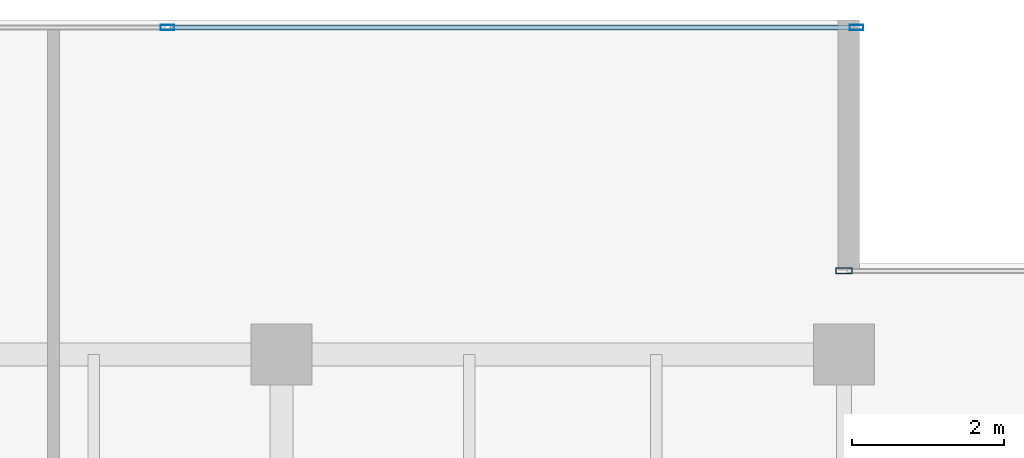
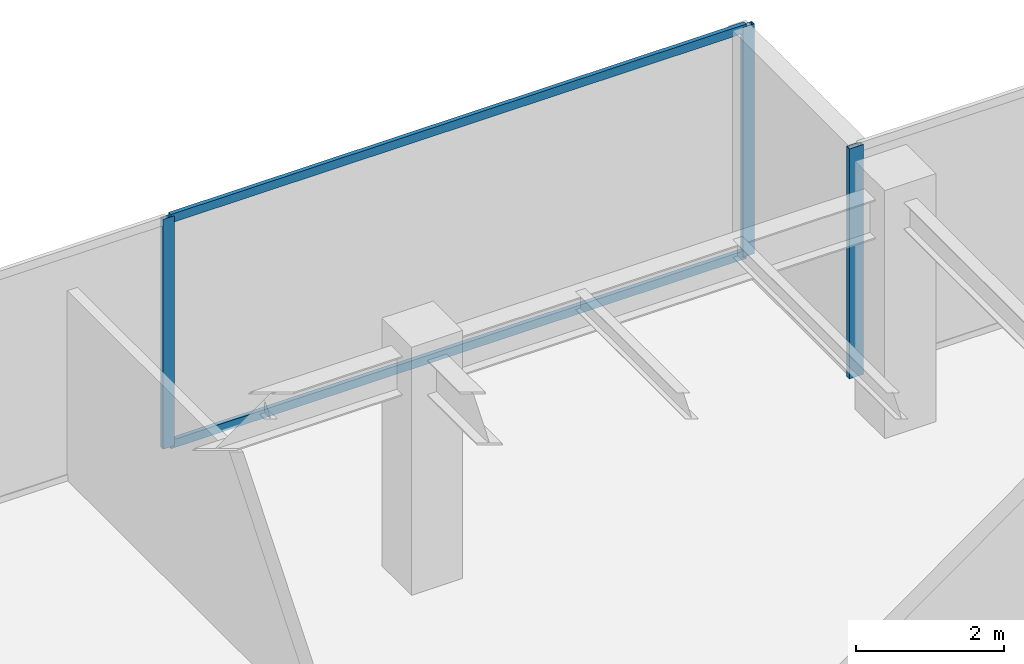
# One storey, part 21 of 33: 5 members, 2 elements without a shape of their own.
"""IFC4 building model written with IfcOpenShell, lengths in metres."""

import ifcopenshell
import ifcopenshell.guid

model = None  # the IFC model being written
_history = None  # IfcOwnerHistory: only IFC2X3 demands one
_inside = {}  # id of a spatial element -> (the spatial element, [elements in it])
_under = {}  # id of a project, library or spatial element -> (it, [spatial elements below it])
_declared = {}  # id of a project -> (the project, [libraries it declares])
_typed = {}  # id of a type object -> (the type object, [elements of that type])
_made_of = {}  # id of a material, layer set ... -> (it, [elements and type objects made of it])


def new_model(schema):
    """Start an empty IFC model of exactly this schema.

    Asked for "IFC4X3", IfcOpenShell would pick the latest addendum, in which some entities
    have other attributes; the version numbers below select the first issue.
    IFC2X3 requires an IfcOwnerHistory on every rooted entity: one is made here for all.
    """
    global model, _history
    if schema == "IFC4X3":
        model = ifcopenshell.file(schema_version=(4, 3, 0, 0))
    else:
        model = ifcopenshell.file(schema=schema)
    _inside.clear()
    _under.clear()
    _declared.clear()
    _typed.clear()
    _made_of.clear()
    _history = None
    if model.schema == "IFC2X3":
        org = make("IfcOrganization", Name="unknown")
        user = make(
            "IfcPersonAndOrganization",
            ThePerson=make("IfcPerson", FamilyName="unknown"),
            TheOrganization=org,
        )
        app = make(
            "IfcApplication",
            ApplicationDeveloper=org,
            Version="unknown",
            ApplicationFullName="unknown",
            ApplicationIdentifier="unknown",
        )
        _history = make(
            "IfcOwnerHistory",
            OwningUser=user,
            OwningApplication=app,
            ChangeAction="ADDED",
            CreationDate=0,
        )
    return model


def make(cls, **values):
    """One entity of the class cls with the attributes given. An attribute that is None is left unset."""
    return model.create_entity(
        cls, **{name: value for name, value in values.items() if value is not None}
    )


def rooted(cls, **values):
    """An entity with a GlobalId (a new one), such as an element, a storey or a relation."""
    return make(cls, GlobalId=ifcopenshell.guid.new(), OwnerHistory=_history, **values)


def si_unit(unit_type, name, prefix=None):
    """IfcSIUnit, for example si_unit("LENGTHUNIT", "METRE", prefix="MILLI")."""
    return make("IfcSIUnit", UnitType=unit_type, Prefix=prefix, Name=name)


def assignment(units):
    """IfcUnitAssignment: the units of a project."""
    return None if units is None else make("IfcUnitAssignment", Units=units)


def point(xyz):
    """IfcCartesianPoint."""
    return None if xyz is None else make("IfcCartesianPoint", Coordinates=xyz)


def direction(xyz):
    """IfcDirection."""
    return None if xyz is None else make("IfcDirection", DirectionRatios=xyz)


def frame(location, z_axis=None, x_axis=None):
    """IfcAxis2Placement3D, a coordinate frame: its origin and axes. An axis left out is left unset."""
    return make(
        "IfcAxis2Placement3D",
        Location=point(location),
        Axis=direction(z_axis),
        RefDirection=direction(x_axis),
    )


def frame_2d(location, x_axis=None):
    """IfcAxis2Placement2D, a coordinate frame in the plane: its origin and x axis."""
    return make(
        "IfcAxis2Placement2D", Location=point(location), RefDirection=direction(x_axis)
    )


def origin():
    """The frame at (0, 0, 0) with its axes left unset."""
    return frame((0.0, 0.0, 0.0))


def origin_2d():
    """The frame at (0, 0) in the plane with its x axis left unset."""
    return frame_2d((0.0, 0.0))


def place(relative_to, where):
    """IfcLocalPlacement: puts the frame where relative to a parent placement (None: the world)."""
    return make(
        "IfcLocalPlacement", PlacementRelTo=relative_to, RelativePlacement=where
    )


def context(
    kind, dimensions, precision=None, world=None, true_north=None, identifier=None
):
    """IfcGeometricRepresentationContext, for example the 3D "Model" context."""
    return make(
        "IfcGeometricRepresentationContext",
        ContextIdentifier=identifier,
        ContextType=kind,
        CoordinateSpaceDimension=dimensions,
        Precision=precision,
        WorldCoordinateSystem=world,
        TrueNorth=true_north,
    )


def subcontext(parent, identifier, kind, view, scale=None):
    """IfcGeometricRepresentationSubContext, for example "Body" below "Model"."""
    return make(
        "IfcGeometricRepresentationSubContext",
        ContextIdentifier=identifier,
        ContextType=kind,
        ParentContext=parent,
        TargetScale=scale,
        TargetView=view,
    )


def project(units=None, contexts=None):
    """IfcProject with its units and contexts."""
    return rooted(
        "IfcProject",
        Name="project",
        RepresentationContexts=contexts,
        UnitsInContext=assignment(units),
    )


def spatial(cls, under=None, at=None, **own):
    """A site, building, storey or space (cls), placed at a placement, below another one or the project."""
    s = rooted(cls, ObjectPlacement=at, **own)
    if under is not None:
        _under.setdefault(under.id(), (under, []))[1].append(s)
    return s


def profile(cls, at=None, kind="AREA", **sizes):
    """A parametric profile (cls). Its sizes go by their IFC names, for example OverallWidth=200.0."""
    return make(cls, ProfileType=kind, Position=at, **sizes)


def hollow_rectangle(**sizes):
    """IfcRectangleHollowProfileDef."""
    return profile("IfcRectangleHollowProfileDef", **sizes)


def extrude(swept, where, along, depth):
    """IfcExtrudedAreaSolid: the profile swept, set in the frame where, extruded along a direction by depth."""
    return make(
        "IfcExtrudedAreaSolid",
        SweptArea=swept,
        Position=where,
        ExtrudedDirection=direction(along),
        Depth=depth,
    )


def shape(context_of_items, identifier, shape_type, items):
    """IfcShapeRepresentation: the items that make up one representation, for example the "Body"."""
    return make(
        "IfcShapeRepresentation",
        ContextOfItems=context_of_items,
        RepresentationIdentifier=identifier,
        RepresentationType=shape_type,
        Items=items,
    )


def source(mapping_origin, context_of_items, identifier, shape_type, items):
    """IfcRepresentationMap: a shape defined once, which mapped items show again and again."""
    return make(
        "IfcRepresentationMap",
        MappingOrigin=mapping_origin,
        MappedRepresentation=shape(context_of_items, identifier, shape_type, items),
    )


def transform(
    local_origin,
    x_axis=None,
    y_axis=None,
    z_axis=None,
    scale=None,
    scale2=None,
    scale3=None,
    uniform=True,
):
    """IfcCartesianTransformationOperator3D, or its non-uniform kind. x_axis, y_axis, z_axis: its Axis1, 2, 3."""
    if uniform:
        return make(
            "IfcCartesianTransformationOperator3D",
            Axis1=direction(x_axis),
            Axis2=direction(y_axis),
            LocalOrigin=point(local_origin),
            Scale=scale,
            Axis3=direction(z_axis),
        )
    return make(
        "IfcCartesianTransformationOperator3DnonUniform",
        Axis1=direction(x_axis),
        Axis2=direction(y_axis),
        LocalOrigin=point(local_origin),
        Scale=scale,
        Axis3=direction(z_axis),
        Scale2=scale2,
        Scale3=scale3,
    )


def mapped(mapping_source, mapping_target):
    """IfcMappedItem: shows the shape of a source again, moved by a transform."""
    return make(
        "IfcMappedItem", MappingSource=mapping_source, MappingTarget=mapping_target
    )


def material(Name=None, Category=None):
    """IfcMaterial."""
    return make("IfcMaterial", Name=Name, Category=Category)


def layer(
    of_material, thickness, ventilated=None, Name=None, Category=None, Priority=None
):
    """IfcMaterialLayer: one layer of a wall or slab, of a material (None: an air gap)."""
    return make(
        "IfcMaterialLayer",
        Material=of_material,
        LayerThickness=thickness,
        IsVentilated=ventilated,
        Name=Name,
        Category=Category,
        Priority=Priority,
    )


def layer_set(layers, Name=None):
    """IfcMaterialLayerSet."""
    return make("IfcMaterialLayerSet", MaterialLayers=layers, LayerSetName=Name)


def material_profile(
    of_material, cross_section, Name=None, Category=None, Priority=None
):
    """IfcMaterialProfile: a cross section and its material."""
    return make(
        "IfcMaterialProfile",
        Name=Name,
        Material=of_material,
        Profile=cross_section,
        Priority=Priority,
        Category=Category,
    )


def profile_set(profiles, Name=None, composite=None):
    """IfcMaterialProfileSet."""
    return make(
        "IfcMaterialProfileSet",
        Name=Name,
        MaterialProfiles=profiles,
        CompositeProfile=composite,
    )


def made_of(thing, what):
    """Note that an element or type object is made of a material, layer set ...; save() writes the relation."""
    if what is not None:
        _made_of.setdefault(what.id(), (what, []))[1].append(thing)
    return thing


def type_object(cls, material=None, **own):
    """A type object (cls), such as IfcWallType, which elements share."""
    return made_of(rooted(cls, **own), material)


def type_shapes(of_type, sources):
    """Give a type object the sources (RepresentationMaps) that its elements show as mapped items."""
    of_type.RepresentationMaps = sources


def element(
    cls,
    number,
    at=None,
    inside=None,
    cuts=None,
    type_object=None,
    material=None,
    context=None,
    identifier="Body",
    shape_type=None,
    held_by="IfcProductDefinitionShape",
    body=None,
    shapes=None,
    **own,
):
    """One element of the class cls, such as IfcWall. Its Tag is "e" and its number.

    at: its placement. inside: the storey or other place that contains it. cuts: it is an
    opening in that element (IfcRelVoidsElement). A single representation is given by context,
    identifier, shape_type and body (its items); several are given by shapes. held_by: the class
    of the entity that holds the representations. save() writes the other relations.
    """
    e = rooted(cls, Tag="e%d" % number, ObjectPlacement=at, **own)
    if body is not None:
        shapes = [shape(context, identifier, shape_type, body)]
    if shapes is not None:
        e.Representation = make(held_by, Representations=shapes)
    if inside is not None:
        _inside.setdefault(inside.id(), (inside, []))[1].append(e)
    if cuts is not None:
        rooted(
            "IfcRelVoidsElement", RelatingBuildingElement=cuts, RelatedOpeningElement=e
        )
    if type_object is not None:
        _typed.setdefault(type_object.id(), (type_object, []))[1].append(e)
    return made_of(e, material)


def aggregate(whole, parts):
    """IfcRelAggregates: a whole, such as a stair, and the parts it consists of."""
    return rooted("IfcRelAggregates", RelatingObject=whole, RelatedObjects=parts)


def save(model, path):
    """Write the relations noted so far, then the file.

    IfcRelAggregates (storeys below a building ...), IfcRelContainedInSpatialStructure (elements
    in a storey), IfcRelDefinesByType, IfcRelAssociatesMaterial and IfcRelDeclares: one each for
    every whole, place, type object, material and project.
    """
    for whole, parts in _under.values():
        aggregate(whole, parts)
    for where, things in _inside.values():
        rooted(
            "IfcRelContainedInSpatialStructure",
            RelatedElements=things,
            RelatingStructure=where,
        )
    for kind, things in _typed.values():
        rooted("IfcRelDefinesByType", RelatedObjects=things, RelatingType=kind)
    for what, things in _made_of.values():
        rooted("IfcRelAssociatesMaterial", RelatedObjects=things, RelatingMaterial=what)
    for by, libraries in _declared.values():
        rooted("IfcRelDeclares", RelatingContext=by, RelatedDefinitions=libraries)
    model.write(path)


model = new_model("IFC4")

# Units and contexts
model_context = context("Model", 3, precision=1e-05, world=origin(), true_north=direction((0.0, 1.0)))
body_context = subcontext(model_context, "Body", "Model", "MODEL_VIEW")
ifc_project = project(units=[si_unit("LENGTHUNIT", "METRE"), si_unit("AREAUNIT", "SQUARE_METRE"), si_unit("VOLUMEUNIT", "CUBIC_METRE"), si_unit("PLANEANGLEUNIT", "RADIAN"), si_unit("MASSUNIT", "GRAM", prefix="KILO")], contexts=[model_context])

# Site, building, storey
site_placement = place(None, origin())
site = spatial("IfcSite", under=ifc_project, at=site_placement, CompositionType="ELEMENT")
building_placement = place(site_placement, origin())
building = spatial("IfcBuilding", under=site, at=building_placement, Name="Haelvirn Gate Laboratories", CompositionType="ELEMENT")
storey_placement = place(building_placement, frame((0.0, 0.0, 217.800048828125)))
storey = spatial("IfcBuildingStorey", under=building, at=storey_placement, Name="L52", CompositionType="ELEMENT", Elevation=217.800048828125)

# Curtain wall, members
ifc_material_1 = material(Name="Anodised bronze unitised aluminium & triple low-E glass", Category="aluminium")
ifc_layer_1 = layer(ifc_material_1, 0.176025390625, Name="CW-SYS-4")
ifc_layer_set_1 = layer_set([ifc_layer_1], Name="Anodised bronze unitised aluminium & triple low-E glass")
curtain_wall_type_1 = type_object("IfcCurtainWallType", Name="CW-SYS-4", PredefinedType="NOTDEFINED", material=ifc_layer_set_1)
curtain_wall_1_placement = place(storey_placement, origin())
curtain_wall_1 = element("IfcCurtainWall", 1, at=curtain_wall_1_placement, inside=storey, type_object=curtain_wall_type_1, Name="L52 Unitised Curtain Wall CW-L52-P0-E10-1", PredefinedType="NOTDEFINED")
ifc_material_2 = material(Name="Extruded aluminium 6063-T6 (anodised bronze)", Category="aluminium")
ifc_material_profile_1 = material_profile(ifc_material_2, hollow_rectangle(XDim=0.06494140625, YDim=0.139892578125, WallThickness=0.00390625, at=origin_2d()), Name="CWT-140x65x4")
ifc_profile_set_1 = profile_set([ifc_material_profile_1], Name="Extruded aluminium 6063-T6 (anodised bronze)")
member_type_1 = type_object("IfcMemberType", Name="CWT-T140", PredefinedType="USERDEFINED", material=ifc_profile_set_1)
shared_shape_1 = source(origin(), body_context, "Body", "SweptSolid", [
    extrude(hollow_rectangle(XDim=0.06494140625, YDim=0.139892578125, WallThickness=0.00390625, at=origin_2d()), origin(), (0.0, 0.0, 1.0), 8.9951171875),
])
type_shapes(member_type_1, [shared_shape_1])
member_1_placement = place(storey_placement, frame((58.534912109375, 45.89990234375, 0.032470703125), z_axis=(1.0, 0.0, 0.0), x_axis=(0.0, 1.0, 0.0)))
member_1 = element("IfcMember", 2, at=member_1_placement, type_object=member_type_1, Name="CW4 transom 2.1", ObjectType="TRANSOM", PredefinedType="USERDEFINED", context=body_context, shape_type="MappedRepresentation", body=[
    mapped(shared_shape_1, transform((0.0, 0.0, 0.0), scale=1.0)),
])
member_2_placement = place(storey_placement, frame((58.534912109375, 45.89990234375, 3.767333984375), z_axis=(1.0, 0.0, 0.0), x_axis=(0.0, 1.0, 0.0)))
member_2 = element("IfcMember", 3, at=member_2_placement, type_object=member_type_1, Name="CW4 transom 2.2", ObjectType="TRANSOM", PredefinedType="USERDEFINED", context=body_context, shape_type="MappedRepresentation", body=[
    mapped(shared_shape_1, transform((0.0, 0.0, 0.0), scale=1.0)),
])
ifc_material_profile_2 = material_profile(ifc_material_2, hollow_rectangle(XDim=0.070068359375, YDim=0.179931640625, WallThickness=0.0048828125, at=origin_2d()), Name="CWM-180x70x5")
ifc_profile_set_2 = profile_set([ifc_material_profile_2], Name="Extruded aluminium 6063-T6 (anodised bronze)")
member_type_2 = type_object("IfcMemberType", Name="CWM-T180", PredefinedType="MULLION", material=ifc_profile_set_2)
shared_shape_2 = source(origin(), body_context, "Body", "SweptSolid", [
    extrude(hollow_rectangle(XDim=0.070068359375, YDim=0.179931640625, WallThickness=0.0048828125, at=origin_2d()), origin(), (0.0, 0.0, 1.0), 3.800048828125),
])
type_shapes(member_type_2, [shared_shape_2])
member_3_placement = place(storey_placement, frame((58.5, 45.89990234375, 0.0), z_axis=(0.0, 0.0, 1.0), x_axis=(0.0, 1.0, 0.0)))
member_3 = element("IfcMember", 4, at=member_3_placement, type_object=member_type_2, Name="CW4 mullion 2", PredefinedType="MULLION", context=body_context, shape_type="MappedRepresentation", body=[
    mapped(shared_shape_2, transform((0.0, 0.0, 0.0), scale=1.0)),
])
member_4_placement = place(storey_placement, frame((67.56494140625, 45.89990234375, 0.0), z_axis=(0.0, 0.0, 1.0), x_axis=(0.0, 1.0, 0.0)))
member_4 = element("IfcMember", 5, at=member_4_placement, type_object=member_type_2, Name="CW4 mullion 3", PredefinedType="MULLION", context=body_context, shape_type="MappedRepresentation", body=[
    mapped(shared_shape_2, transform((0.0, 0.0, 0.0), scale=1.0)),
])
aggregate(curtain_wall_1, [member_3, member_4, member_1, member_2])

# Curtain wall, member
ifc_layer_2 = layer(ifc_material_1, 0.181884765625, Name="CW-SYS-5")
ifc_layer_set_2 = layer_set([ifc_layer_2], Name="Anodised bronze unitised aluminium & triple low-E glass")
curtain_wall_type_2 = type_object("IfcCurtainWallType", Name="CW-SYS-5", PredefinedType="NOTDEFINED", material=ifc_layer_set_2)
curtain_wall_2_placement = place(storey_placement, origin())
curtain_wall_2 = element("IfcCurtainWall", 6, at=curtain_wall_2_placement, inside=storey, type_object=curtain_wall_type_2, Name="L52 Unitised Curtain Wall CW-L52-P0-E08-1", PredefinedType="NOTDEFINED")
ifc_material_profile_3 = material_profile(ifc_material_2, hollow_rectangle(XDim=0.080078125, YDim=0.219970703125, WallThickness=0.006103515625, at=origin_2d()), Name="CWM-220x80x6")
ifc_profile_set_3 = profile_set([ifc_material_profile_3], Name="Extruded aluminium 6063-T6 (anodised bronze)")
member_type_3 = type_object("IfcMemberType", Name="CWM-T220", PredefinedType="MULLION", material=ifc_profile_set_3)
shared_shape_3 = source(origin(), body_context, "Body", "SweptSolid", [
    extrude(hollow_rectangle(XDim=0.080078125, YDim=0.219970703125, WallThickness=0.006103515625, at=origin_2d()), origin(), (0.0, 0.0, 1.0), 3.800048828125),
])
type_shapes(member_type_3, [shared_shape_3])
member_5_placement = place(storey_placement, frame((67.39990234375, 42.699951171875, 0.0), z_axis=(0.0, 0.0, 1.0), x_axis=(0.0, 1.0, 0.0)))
member_5 = element("IfcMember", 7, at=member_5_placement, type_object=member_type_3, Name="CW5 mullion 1", PredefinedType="MULLION", context=body_context, shape_type="MappedRepresentation", body=[
    mapped(shared_shape_3, transform((0.0, 0.0, 0.0), scale=1.0)),
])
aggregate(curtain_wall_2, [member_5])

save(model, "model.ifc")
